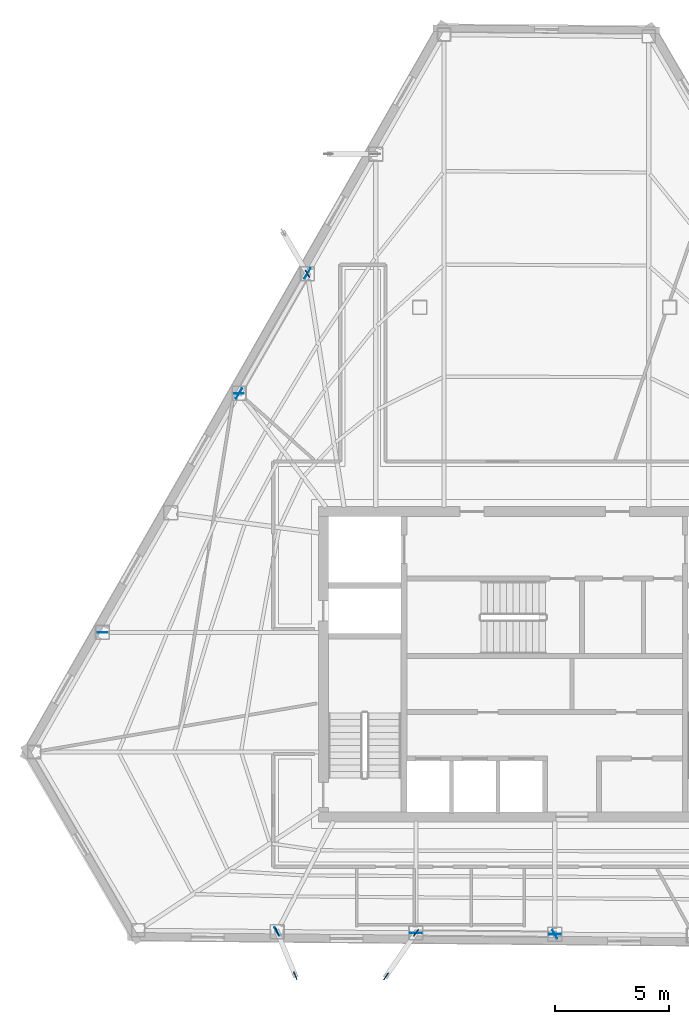
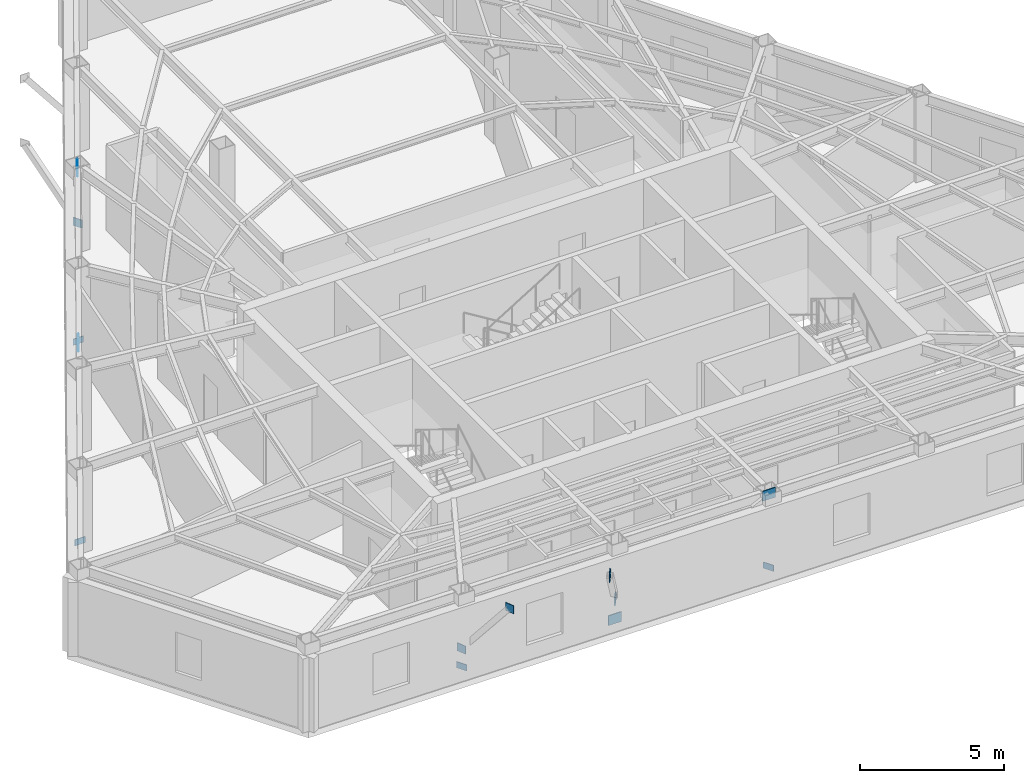
# One storey, part 4 of 10: 13 plates.
"""IFC4 building model written with IfcOpenShell, lengths in metres."""

from ifc_helpers import new_model, si_unit, direction, frame, origin, origin_2d, place, context, subcontext, project, spatial, rectangle, extrude, material, layer, layer_set, type_object, element, save


model = new_model("IFC4")

# Units and contexts
model_context = context("Model", 3, precision=1e-05, world=origin(), true_north=direction((0.0, 1.0)))
body_context = subcontext(model_context, "Body", "Model", "MODEL_VIEW")
ifc_project = project(units=[si_unit("LENGTHUNIT", "METRE"), si_unit("AREAUNIT", "SQUARE_METRE"), si_unit("VOLUMEUNIT", "CUBIC_METRE"), si_unit("PLANEANGLEUNIT", "RADIAN"), si_unit("MASSUNIT", "GRAM", prefix="KILO")], contexts=[model_context])

# Site, building, storey
site_placement = place(None, origin())
site = spatial("IfcSite", under=ifc_project, at=site_placement, CompositionType="ELEMENT")
building_placement = place(site_placement, origin())
building = spatial("IfcBuilding", under=site, at=building_placement, Name="Kavelnor Concourse Tower", CompositionType="ELEMENT")
storey_placement = place(building_placement, frame((0.0, 0.0, 188.10009765625)))
storey = spatial("IfcBuildingStorey", under=building, at=storey_placement, Name="L47", CompositionType="ELEMENT", Elevation=188.10009765625)

# Plates
ifc_material = material(Name="Steel Grade 350", Category="steel")
ifc_layer_1 = layer(ifc_material, 0.028076171875, Name="Steel Grade 350")
ifc_layer_set_1 = layer_set([ifc_layer_1], Name="Steel Grade 350")
plate_type_1 = type_object("IfcPlateType", Name="PL-GUSSET-FOLD", PredefinedType="USERDEFINED", material=ifc_layer_set_1)
for number, where, z_axis, x_axis, name in (
    (1, (27.56591796875, 33.27392578125, 0.8798828125), (0.0, 0.0, 1.0), (-0.504828974973, 0.863219384645, 0.0), "L47 Balcony Strut Gusset GP4 1-B End Gusset A"),
    (2, (26.220947265625, 4.33837890625, 0.8798828125), (0.0, 0.0, 1.0), (0.383167122078, -0.9236790333, 0.0), "L47 Balcony Strut Gusset GP4 2-A End Gusset A"),
    (3, (27.02880859375, 2.390625, 3.48486328125), (0.0, 0.0, 1.0), (0.383167122078, -0.9236790333, 0.0), "L47 Balcony Strut Gusset GP4 2-A End Gusset B"),
    (4, (32.34326171875, 4.28125, 0.8798828125), (0.0, 0.0, 1.0), (-0.567556381667, -0.823334533242, 0.0), "L47 Balcony Strut Gusset GP4 2-B End Gusset A"),
    (5, (31.017333984375, 2.357666015625, 3.48486328125), (0.0, 0.0, 1.0), (-0.567556381667, -0.823334533242, 0.0), "L47 Balcony Strut Gusset GP4 2-B End Gusset B"),
):
    element("IfcPlate", number, at=place(storey_placement, frame(where, z_axis=z_axis, x_axis=x_axis)), inside=storey, type_object=plate_type_1, Name=name, ObjectType="GUSSET_PLATE", PredefinedType="USERDEFINED", context=body_context, shape_type="SweptSolid", body=[
        extrude(rectangle(XDim=0.360107421875, YDim=0.028076171875, at=origin_2d()), origin(), (0.0, 0.0, 1.0), 0.340087890625),
    ])
ifc_layer_2 = layer(ifc_material, 0.031982421875, Name="Steel Grade 350")
ifc_layer_set_2 = layer_set([ifc_layer_2], Name="Steel Grade 350")
plate_type_2 = type_object("IfcPlateType", Name="PL-GUSSET-TUBE-Z1", PredefinedType="USERDEFINED", material=ifc_layer_set_2)
for number, where, z_axis, x_axis, name in (
    (6, (24.547607421875, 28.010986328125, 0.010009765625), (0.0, 0.0, 1.0), (0.496064966839, 0.868285407383, 0.0), "L47 Tube Brace Gusset GP3 F0-B2 End Gusset A"),
    (7, (27.56591796875, 33.294677734375, 3.159912109375), (0.0, 0.0, 1.0), (0.496064966839, 0.868285407383, 0.0), "L47 Tube Brace Gusset GP3 F0-B2 End Gusset B"),
    (8, (32.324462890625, 4.271484375, 0.010009765625), (0.0, 0.0, 1.0), (0.999957216788, -0.009250113117, 0.0), "L47 Tube Brace Gusset GP3 F1-B2 End Gusset A"),
    (9, (38.45947265625, 4.215087890625, 3.159912109375), (0.0, 0.0, 1.0), (0.999957216788, -0.009250113117, 0.0), "L47 Tube Brace Gusset GP3 F1-B2 End Gusset B"),
):
    element("IfcPlate", number, at=place(storey_placement, frame(where, z_axis=z_axis, x_axis=x_axis)), inside=storey, type_object=plate_type_2, Name=name, ObjectType="GUSSET_PLATE", PredefinedType="USERDEFINED", context=body_context, shape_type="SweptSolid", body=[
        extrude(rectangle(XDim=0.52001953125, YDim=0.031982421875, at=origin_2d()), origin(), (0.0, 0.0, 1.0), 0.419921875),
    ])
ifc_layer_3 = layer(ifc_material, 0.02490234375, Name="Steel Grade 350")
ifc_layer_set_3 = layer_set([ifc_layer_3], Name="Steel Grade 350")
plate_type_3 = type_object("IfcPlateType", Name="PL-SPLICE-FLANGE", PredefinedType="SHEET", material=ifc_layer_set_3)
for number, where, z_axis, x_axis, name in (
    (10, (24.5537109375, 28.021484375, 0.169921875), (0.0, 0.0, 1.0), (1.0, 0.0, 0.0), "L47 Column Flange Splice Plate F0-B3"),
    (11, (18.54150390625, 17.495849609375, 0.169921875), (0.0, 0.0, 1.0), (1.0, 0.0, 0.0), "L47 Column Flange Splice Plate F0-B5"),
    (12, (26.2255859375, 4.327392578125, 0.169921875), (0.0, 0.0, 1.0), (-0.5, 0.866025403784, 0.0), "L47 Column Flange Splice Plate F1-B1"),
    (13, (38.447509765625, 4.21533203125, 0.169921875), (0.0, 0.0, 1.0), (-0.5, 0.866025403784, 0.0), "L47 Column Flange Splice Plate F1-B3"),
):
    element("IfcPlate", number, at=place(storey_placement, frame(where, z_axis=z_axis, x_axis=x_axis)), inside=storey, type_object=plate_type_3, Name=name, PredefinedType="SHEET", context=body_context, shape_type="SweptSolid", body=[
        extrude(rectangle(XDim=0.419921875, YDim=0.02490234375, at=origin_2d()), origin(), (0.0, 0.0, 1.0), 0.260009765625),
    ])

save(model, "model.ifc")
